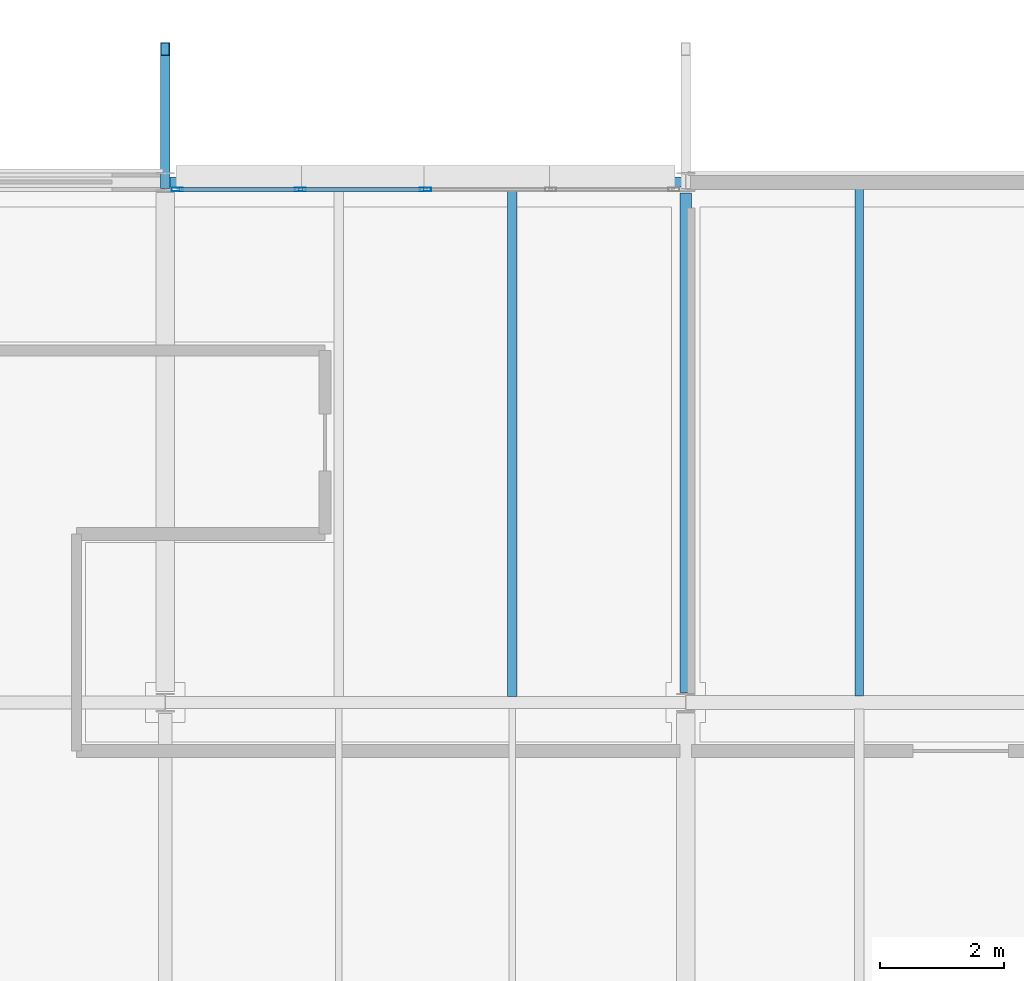
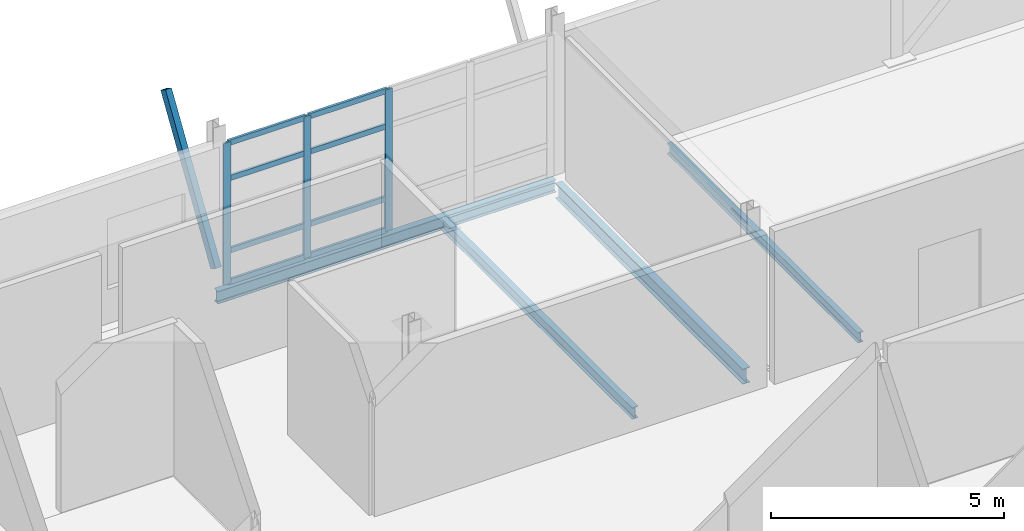
# One storey, part 13 of 35: 12 members, 4 beams, 1 element without a shape of its own.
"""IFC4 building model written with IfcOpenShell, lengths in metres."""

from ifc_helpers import new_model, si_unit, direction, frame, origin, origin_2d, place, context, subcontext, project, spatial, hollow_rectangle, i_section, extrude, material, material_profile, profile_set, type_object, element, aggregate, save


model = new_model("IFC4")

# Units and contexts
model_context = context("Model", 3, precision=1e-05, world=origin(), true_north=direction((0.0, 1.0)))
body_context = subcontext(model_context, "Body", "Model", "MODEL_VIEW")
ifc_project = project(units=[si_unit("LENGTHUNIT", "METRE"), si_unit("AREAUNIT", "SQUARE_METRE"), si_unit("VOLUMEUNIT", "CUBIC_METRE"), si_unit("PLANEANGLEUNIT", "RADIAN"), si_unit("MASSUNIT", "GRAM", prefix="KILO")], contexts=[model_context])

# Site, building, storey
site_placement = place(None, origin())
site = spatial("IfcSite", under=ifc_project, at=site_placement, CompositionType="ELEMENT")
building_placement = place(site_placement, origin())
building = spatial("IfcBuilding", under=site, at=building_placement, Name="Mersafa Astral City Hall", CompositionType="ELEMENT")
storey_placement = place(building_placement, frame((0.0, 0.0, 30.14990234375)))
storey = spatial("IfcBuildingStorey", under=building, at=storey_placement, Name="L07", CompositionType="ELEMENT", Elevation=30.14990234375)

# Curtain wall, members
ifc_material_1 = material(Name="Anodised bronze aluminium framing", Category="aluminium")
curtain_wall_type = type_object("IfcCurtainWallType", Name="ENV-CW-4", PredefinedType="USERDEFINED", material=ifc_material_1)
curtain_wall_placement = place(storey_placement, origin())
curtain_wall = element("IfcCurtainWall", 1, at=curtain_wall_placement, inside=storey, type_object=curtain_wall_type, Name="L07 Unitised solar curtain wall 273", ObjectType="UNITISED CURTAIN WALL", PredefinedType="USERDEFINED")
ifc_material_profile_1 = material_profile(ifc_material_1, hollow_rectangle(XDim=0.06005859375, YDim=0.179931640625, WallThickness=0.00390625, at=origin_2d()), Name="RHS 60x180x4")
ifc_profile_set_1 = profile_set([ifc_material_profile_1], Name="Anodised bronze aluminium framing")
member_type_1 = type_object("IfcMemberType", Name="ENV-CW-MUL-1", PredefinedType="MULLION", material=ifc_profile_set_1)
member_1_placement = place(storey_placement, frame((121.800048828125, 125.8798828125, -0.001953125), z_axis=(0.0, 0.0, 1.0), x_axis=(0.0, -1.0, 0.0)))
member_1 = element("IfcMember", 2, at=member_1_placement, type_object=member_type_1, Name="CW-4 mullion 3", PredefinedType="MULLION", context=body_context, shape_type="SweptSolid", body=[
    extrude(hollow_rectangle(XDim=0.06005859375, YDim=0.179931640625, WallThickness=0.00390625, at=origin_2d()), origin(), (0.0, 0.0, 1.0), 3.708984375),
])
member_2_placement = place(storey_placement, frame((119.781005859375, 125.8798828125, -0.001953125), z_axis=(0.0, 0.0, 1.0), x_axis=(0.0, -1.0, 0.0)))
member_2 = element("IfcMember", 3, at=member_2_placement, type_object=member_type_1, Name="CW-4 mullion 4", PredefinedType="MULLION", context=body_context, shape_type="SweptSolid", body=[
    extrude(hollow_rectangle(XDim=0.06005859375, YDim=0.179931640625, WallThickness=0.00390625, at=origin_2d()), origin(), (0.0, 0.0, 1.0), 3.708984375),
])
member_3_placement = place(storey_placement, frame((117.7919921875, 125.8798828125, -0.001953125), z_axis=(0.0, 0.0, 1.0), x_axis=(0.0, -1.0, 0.0)))
member_3 = element("IfcMember", 4, at=member_3_placement, type_object=member_type_1, Name="CW-4 mullion 5", PredefinedType="MULLION", context=body_context, shape_type="SweptSolid", body=[
    extrude(hollow_rectangle(XDim=0.06005859375, YDim=0.179931640625, WallThickness=0.00390625, at=origin_2d()), origin(), (0.0, 0.0, 1.0), 3.708984375),
])
ifc_material_profile_2 = material_profile(ifc_material_1, hollow_rectangle(XDim=0.06005859375, YDim=0.139892578125, WallThickness=0.00390625, at=origin_2d()), Name="RHS 60x140x4")
ifc_profile_set_2 = profile_set([ifc_material_profile_2], Name="Anodised bronze aluminium framing")
member_type_2 = type_object("IfcMemberType", Name="ENV-CW-TRN-1", PredefinedType="USERDEFINED", material=ifc_profile_set_2)
member_4_placement = place(storey_placement, frame((121.77001953125, 125.8798828125, 0.028076171875), z_axis=(-1.0, 0.0, 0.0), x_axis=(0.0, -1.0, 0.0)))
member_4 = element("IfcMember", 5, at=member_4_placement, type_object=member_type_2, Name="CW-4 transom 3.1", ObjectType="TRANSOM", PredefinedType="USERDEFINED", context=body_context, shape_type="SweptSolid", body=[
    extrude(hollow_rectangle(XDim=0.06005859375, YDim=0.139892578125, WallThickness=0.00390625, at=origin_2d()), origin(), (0.0, 0.0, 1.0), 1.958984375),
])
member_5_placement = place(storey_placement, frame((121.77001953125, 125.8798828125, 0.85009765625), z_axis=(-1.0, 0.0, 0.0), x_axis=(0.0, -1.0, 0.0)))
member_5 = element("IfcMember", 6, at=member_5_placement, type_object=member_type_2, Name="CW-4 transom 3.2", ObjectType="TRANSOM", PredefinedType="USERDEFINED", context=body_context, shape_type="SweptSolid", body=[
    extrude(hollow_rectangle(XDim=0.06005859375, YDim=0.139892578125, WallThickness=0.00390625, at=origin_2d()), origin(), (0.0, 0.0, 1.0), 1.958984375),
])
member_6_placement = place(storey_placement, frame((121.77001953125, 125.8798828125, 2.75), z_axis=(-1.0, 0.0, 0.0), x_axis=(0.0, -1.0, 0.0)))
member_6 = element("IfcMember", 7, at=member_6_placement, type_object=member_type_2, Name="CW-4 transom 3.3", ObjectType="TRANSOM", PredefinedType="USERDEFINED", context=body_context, shape_type="SweptSolid", body=[
    extrude(hollow_rectangle(XDim=0.06005859375, YDim=0.139892578125, WallThickness=0.00390625, at=origin_2d()), origin(), (0.0, 0.0, 1.0), 1.958984375),
])
member_7_placement = place(storey_placement, frame((121.77001953125, 125.8798828125, 3.677001953125), z_axis=(-1.0, 0.0, 0.0), x_axis=(0.0, -1.0, 0.0)))
member_7 = element("IfcMember", 8, at=member_7_placement, type_object=member_type_2, Name="CW-4 transom 3.4", ObjectType="TRANSOM", PredefinedType="USERDEFINED", context=body_context, shape_type="SweptSolid", body=[
    extrude(hollow_rectangle(XDim=0.06005859375, YDim=0.139892578125, WallThickness=0.00390625, at=origin_2d()), origin(), (0.0, 0.0, 1.0), 1.958984375),
])
member_8_placement = place(storey_placement, frame((119.7509765625, 125.8798828125, 0.028076171875), z_axis=(-1.0, 0.0, 0.0), x_axis=(0.0, -1.0, 0.0)))
member_8 = element("IfcMember", 9, at=member_8_placement, type_object=member_type_2, Name="CW-4 transom 4.1", ObjectType="TRANSOM", PredefinedType="USERDEFINED", context=body_context, shape_type="SweptSolid", body=[
    extrude(hollow_rectangle(XDim=0.06005859375, YDim=0.139892578125, WallThickness=0.00390625, at=origin_2d()), origin(), (0.0, 0.0, 1.0), 1.928955078125),
])
member_9_placement = place(storey_placement, frame((119.7509765625, 125.8798828125, 0.85009765625), z_axis=(-1.0, 0.0, 0.0), x_axis=(0.0, -1.0, 0.0)))
member_9 = element("IfcMember", 10, at=member_9_placement, type_object=member_type_2, Name="CW-4 transom 4.2", ObjectType="TRANSOM", PredefinedType="USERDEFINED", context=body_context, shape_type="SweptSolid", body=[
    extrude(hollow_rectangle(XDim=0.06005859375, YDim=0.139892578125, WallThickness=0.00390625, at=origin_2d()), origin(), (0.0, 0.0, 1.0), 1.928955078125),
])
member_10_placement = place(storey_placement, frame((119.7509765625, 125.8798828125, 2.75), z_axis=(-1.0, 0.0, 0.0), x_axis=(0.0, -1.0, 0.0)))
member_10 = element("IfcMember", 11, at=member_10_placement, type_object=member_type_2, Name="CW-4 transom 4.3", ObjectType="TRANSOM", PredefinedType="USERDEFINED", context=body_context, shape_type="SweptSolid", body=[
    extrude(hollow_rectangle(XDim=0.06005859375, YDim=0.139892578125, WallThickness=0.00390625, at=origin_2d()), origin(), (0.0, 0.0, 1.0), 1.928955078125),
])
member_11_placement = place(storey_placement, frame((119.7509765625, 125.8798828125, 3.677001953125), z_axis=(-1.0, 0.0, 0.0), x_axis=(0.0, -1.0, 0.0)))
member_11 = element("IfcMember", 12, at=member_11_placement, type_object=member_type_2, Name="CW-4 transom 4.4", ObjectType="TRANSOM", PredefinedType="USERDEFINED", context=body_context, shape_type="SweptSolid", body=[
    extrude(hollow_rectangle(XDim=0.06005859375, YDim=0.139892578125, WallThickness=0.00390625, at=origin_2d()), origin(), (0.0, 0.0, 1.0), 1.928955078125),
])
aggregate(curtain_wall, [member_1, member_2, member_3, member_4, member_5, member_6, member_7, member_8, member_9, member_10, member_11])

# Beams
ifc_material_2 = material(Name="Steel S355", Category="steel")
ifc_material_profile_3 = material_profile(ifc_material_2, i_section(OverallWidth=0.179931640625, OverallDepth=0.39990234375, WebThickness=0.008544921875, FlangeThickness=0.013427734375, FilletRadius=0.02099609375, at=origin_2d()), Name="IPE 400")
ifc_profile_set_3 = profile_set([ifc_material_profile_3], Name="Steel S355")
beam_type_1 = type_object("IfcBeamType", Name="STR-BM-IPE400", PredefinedType="BEAM", material=ifc_profile_set_3)
beam_1_placement = place(storey_placement, frame((126.0, 117.764892578125, -0.375), z_axis=(0.0, 1.0, 0.0), x_axis=(-1.0, 0.0, 0.0)))
element("IfcBeam", 13, at=beam_1_placement, inside=storey, type_object=beam_type_1, Name="L07 Primary girder Y 15-14", PredefinedType="BEAM", context=body_context, shape_type="SweptSolid", body=[
    extrude(i_section(OverallWidth=0.179931640625, OverallDepth=0.39990234375, WebThickness=0.008544921875, FlangeThickness=0.013427734375, FilletRadius=0.02099609375, at=origin_2d()), origin(), (0.0, 0.0, 1.0), 8.06005859375),
])
ifc_material_profile_4 = material_profile(ifc_material_2, i_section(OverallWidth=0.135009765625, OverallDepth=0.27001953125, WebThickness=0.006591796875, FlangeThickness=0.01025390625, FilletRadius=0.014892578125, at=origin_2d()), Name="IPE 270")
ifc_profile_set_4 = profile_set([ifc_material_profile_4], Name="Steel S355")
beam_type_2 = type_object("IfcBeamType", Name="STR-BM-JOIST-IPE270", PredefinedType="JOIST", material=ifc_profile_set_4)
beam_2_placement = place(storey_placement, frame((128.800048828125, 117.705078125, -0.309814453125), z_axis=(0.0, 1.0, 0.0), x_axis=(-1.0, 0.0, 0.0)))
element("IfcBeam", 14, at=beam_2_placement, inside=storey, type_object=beam_type_2, Name="L07 Composite secondary floor joist 898", PredefinedType="JOIST", context=body_context, shape_type="SweptSolid", body=[
    extrude(i_section(OverallWidth=0.135009765625, OverallDepth=0.27001953125, WebThickness=0.006591796875, FlangeThickness=0.01025390625, FilletRadius=0.014892578125, at=origin_2d()), origin(), (0.0, 0.0, 1.0), 8.21484375),
])
ifc_material_profile_5 = material_profile(ifc_material_2, i_section(OverallWidth=0.14990234375, OverallDepth=0.300048828125, WebThickness=0.007080078125, FlangeThickness=0.0107421875, FilletRadius=0.014892578125, at=origin_2d()), Name="IPE 300")
ifc_profile_set_5 = profile_set([ifc_material_profile_5], Name="Steel S355")
beam_type_3 = type_object("IfcBeamType", Name="STR-BM-JOIST-IPE300", PredefinedType="JOIST", material=ifc_profile_set_5)
beam_3_placement = place(storey_placement, frame((123.199951171875, 117.695068359375, -0.324951171875), z_axis=(0.0, 1.0, 0.0), x_axis=(-1.0, 0.0, 0.0)))
element("IfcBeam", 15, at=beam_3_placement, inside=storey, type_object=beam_type_3, Name="L07 Composite secondary floor joist 895", PredefinedType="JOIST", context=body_context, shape_type="SweptSolid", body=[
    extrude(i_section(OverallWidth=0.14990234375, OverallDepth=0.300048828125, WebThickness=0.007080078125, FlangeThickness=0.0107421875, FilletRadius=0.014892578125, at=origin_2d()), origin(), (0.0, 0.0, 1.0), 8.22998046875),
])
ifc_material_profile_6 = material_profile(ifc_material_2, i_section(OverallWidth=0.159912109375, OverallDepth=0.330078125, WebThickness=0.007568359375, FlangeThickness=0.011474609375, FilletRadius=0.01806640625, at=origin_2d()), Name="IPE 330")
ifc_profile_set_6 = profile_set([ifc_material_profile_6], Name="Steel S355")
beam_type_4 = type_object("IfcBeamType", Name="STR-BM-SPANDREL-IPE330", PredefinedType="SPANDREL", material=ifc_profile_set_6)
beam_4_placement = place(storey_placement, frame((117.60302734375, 126.0, -0.33984375), z_axis=(1.0, 0.0, 0.0), x_axis=(0.0, 1.0, 0.0)))
element("IfcBeam", 16, at=beam_4_placement, inside=storey, type_object=beam_type_4, Name="L07 Primary girder X 14-15", PredefinedType="SPANDREL", context=body_context, shape_type="SweptSolid", body=[
    extrude(i_section(OverallWidth=0.159912109375, OverallDepth=0.330078125, WebThickness=0.007568359375, FlangeThickness=0.011474609375, FilletRadius=0.01806640625, at=origin_2d()), origin(), (0.0, 0.0, 1.0), 8.39404296875),
])

# Member
ifc_material_profile_7 = material_profile(ifc_material_2, hollow_rectangle(XDim=0.14990234375, YDim=0.25, WallThickness=0.010009765625, at=origin_2d()), Name="RHS 150x250x10")
ifc_profile_set_7 = profile_set([ifc_material_profile_7], Name="Steel S355")
member_type_3 = type_object("IfcMemberType", Name="STR-MBR-STRUT-RHS150X250", PredefinedType="BRACE", material=ifc_profile_set_7)
member_12_placement = place(storey_placement, frame((117.60009765625, 126.0, 0.400146484375), z_axis=(0.0, 0.535580111443, 0.844484425094), x_axis=(-1.0, 0.0, 0.0)))
element("IfcMember", 17, at=member_12_placement, inside=storey, type_object=member_type_3, Name="L07 Raked cosmic eave strut ROOF-T6-V6 N-14", PredefinedType="BRACE", context=body_context, shape_type="SweptSolid", body=[
    extrude(hollow_rectangle(XDim=0.14990234375, YDim=0.25, WallThickness=0.010009765625, at=origin_2d()), origin(), (0.0, 0.0, 1.0), 4.01416015625),
])

save(model, "model.ifc")
